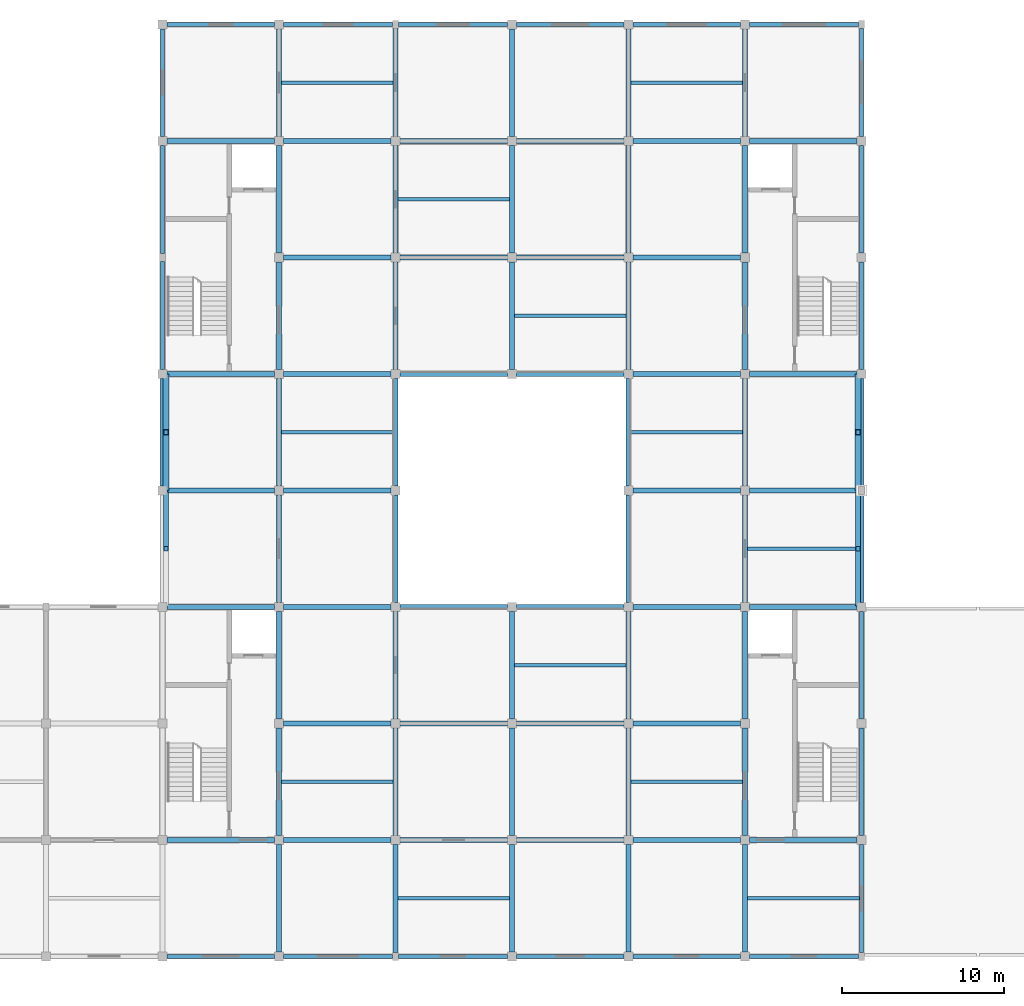
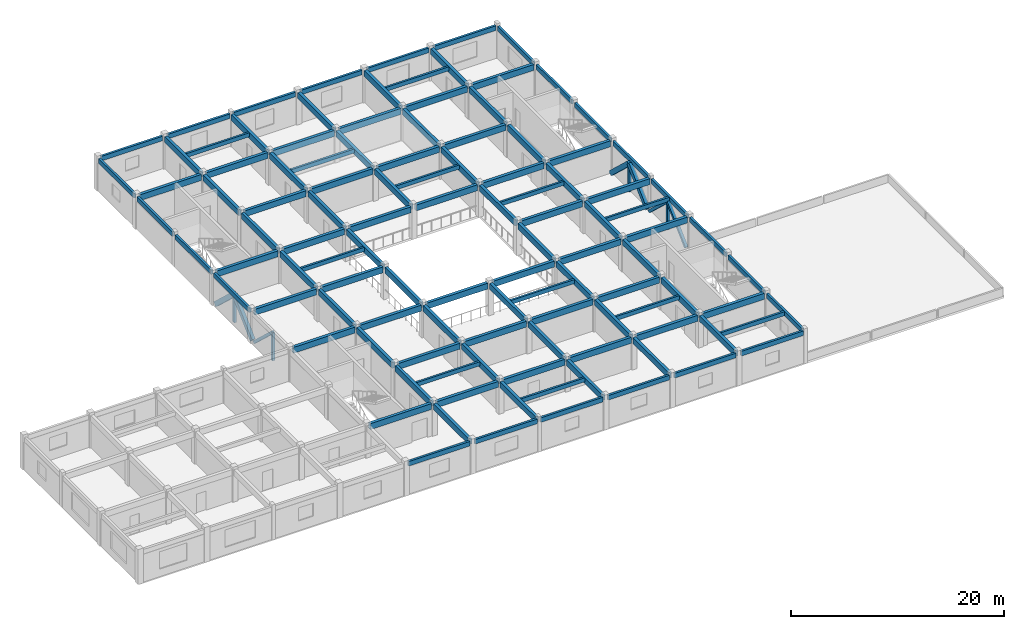
# One storey, part 2 of 8: 110 beams, 11 members.
"""IFC4 building model written with IfcOpenShell, lengths in metres."""

from ifc_helpers import new_model, si_unit, direction, frame, origin, origin_2d, place, context, subcontext, project, spatial, rectangle, extrude, material, material_profile, profile_set, type_object, element, save


model = new_model("IFC4")

# Units and contexts
model_context = context("Model", 3, precision=1e-05, world=origin(), true_north=direction((0.0, 1.0)))
body_context = subcontext(model_context, "Body", "Model", "MODEL_VIEW")
ifc_project = project(units=[si_unit("LENGTHUNIT", "METRE"), si_unit("AREAUNIT", "SQUARE_METRE"), si_unit("VOLUMEUNIT", "CUBIC_METRE"), si_unit("PLANEANGLEUNIT", "RADIAN"), si_unit("MASSUNIT", "GRAM", prefix="KILO")], contexts=[model_context])

# Site, building, storey
site_placement = place(None, origin())
site = spatial("IfcSite", under=ifc_project, at=site_placement, CompositionType="ELEMENT")
building_placement = place(site_placement, origin())
building = spatial("IfcBuilding", under=site, at=building_placement, Name="Cendaluz Park School", CompositionType="ELEMENT")
storey_placement = place(building_placement, frame((0.0, 0.0, 42.800048828125)))
storey = spatial("IfcBuildingStorey", under=building, at=storey_placement, Name="L10", CompositionType="ELEMENT", Elevation=42.800048828125)

# Beams
ifc_material_1 = material(Name="Glulam GL28h", Category="wood")
ifc_material_profile_1 = material_profile(ifc_material_1, rectangle(XDim=0.320068359375, YDim=0.679931640625, at=origin_2d()), Name="GL28h 320x680", Category="wood")
ifc_profile_set_1 = profile_set([ifc_material_profile_1], Name="Glulam GL28h")
beam_type_1 = type_object("IfcBeamType", Name="BM-GL01", PredefinedType="BEAM", material=ifc_profile_set_1)
for number, where, z_axis, x_axis, name in (
    (1, (65.080078125, 14.39990234375, 3.35986328125), (1.0, 0.0, 0.0), (0.0, 1.0, 0.0), "BM-L10-BMGL01-0018"),
    (2, (65.080078125, 28.800048828125, 3.35986328125), (1.0, 0.0, 0.0), (0.0, 1.0, 0.0), "BM-L10-BMGL01-0019"),
    (3, (65.080078125, 36.0, 3.35986328125), (1.0, 0.0, 0.0), (0.0, 1.0, 0.0), "BM-L10-BMGL01-0020"),
    (4, (65.080078125, 43.199951171875, 3.35986328125), (1.0, 0.0, 0.0), (0.0, 1.0, 0.0), "BM-L10-BMGL01-0021"),
    (5, (65.080078125, 57.60009765625, 3.35986328125), (1.0, 0.0, 0.0), (0.0, 1.0, 0.0), "BM-L10-BMGL01-0022"),
    (6, (72.280029296875, 14.39990234375, 3.35986328125), (1.0, 0.0, 0.0), (0.0, 1.0, 0.0), "BM-L10-BMGL01-0025"),
    (7, (72.280029296875, 21.60009765625, 3.35986328125), (1.0, 0.0, 0.0), (0.0, 1.0, 0.0), "BM-L10-BMGL01-0026"),
    (8, (72.280029296875, 28.800048828125, 3.35986328125), (1.0, 0.0, 0.0), (0.0, 1.0, 0.0), "BM-L10-BMGL01-0027"),
    (9, (72.280029296875, 36.0, 3.35986328125), (1.0, 0.0, 0.0), (0.0, 1.0, 0.0), "BM-L10-BMGL01-0028"),
    (10, (72.280029296875, 43.199951171875, 3.35986328125), (1.0, 0.0, 0.0), (0.0, 1.0, 0.0), "BM-L10-BMGL01-0029"),
    (11, (72.280029296875, 50.39990234375, 3.35986328125), (1.0, 0.0, 0.0), (0.0, 1.0, 0.0), "BM-L10-BMGL01-0030"),
    (12, (72.280029296875, 57.60009765625, 3.35986328125), (1.0, 0.0, 0.0), (0.0, 1.0, 0.0), "BM-L10-BMGL01-0031"),
):
    element("IfcBeam", number, at=place(storey_placement, frame(where, z_axis=z_axis, x_axis=x_axis)), inside=storey, type_object=beam_type_1, Name=name, PredefinedType="BEAM", context=body_context, shape_type="SweptSolid", body=[
        extrude(rectangle(XDim=0.320068359375, YDim=0.679931640625, at=origin_2d()), origin(), (0.0, 0.0, 1.0), 6.639892578125),
    ])
for number, where, z_axis, x_axis, name in (
    (13, (79.47998046875, 14.39990234375, 3.35986328125), (1.0, 0.0, 0.0), (0.0, 1.0, 0.0), "BM-L10-BMGL01-0034"),
    (14, (79.47998046875, 21.60009765625, 3.35986328125), (1.0, 0.0, 0.0), (0.0, 1.0, 0.0), "BM-L10-BMGL01-0035"),
    (15, (79.47998046875, 28.800048828125, 3.35986328125), (1.0, 0.0, 0.0), (0.0, 1.0, 0.0), "BM-L10-BMGL01-0036"),
    (16, (79.47998046875, 43.199951171875, 3.35986328125), (1.0, 0.0, 0.0), (0.0, 1.0, 0.0), "BM-L10-BMGL01-0037"),
    (17, (79.47998046875, 50.39990234375, 3.35986328125), (1.0, 0.0, 0.0), (0.0, 1.0, 0.0), "BM-L10-BMGL01-0038"),
    (18, (79.47998046875, 57.60009765625, 3.35986328125), (1.0, 0.0, 0.0), (0.0, 1.0, 0.0), "BM-L10-BMGL01-0039"),
    (19, (86.679931640625, 14.39990234375, 3.35986328125), (1.0, 0.0, 0.0), (0.0, 1.0, 0.0), "BM-L10-BMGL01-0042"),
    (20, (86.679931640625, 21.60009765625, 3.35986328125), (1.0, 0.0, 0.0), (0.0, 1.0, 0.0), "BM-L10-BMGL01-0043"),
    (21, (86.679931640625, 28.800048828125, 3.35986328125), (1.0, 0.0, 0.0), (0.0, 1.0, 0.0), "BM-L10-BMGL01-0044"),
    (22, (86.679931640625, 43.199951171875, 3.35986328125), (1.0, 0.0, 0.0), (0.0, 1.0, 0.0), "BM-L10-BMGL01-0045"),
    (23, (86.679931640625, 50.39990234375, 3.35986328125), (1.0, 0.0, 0.0), (0.0, 1.0, 0.0), "BM-L10-BMGL01-0046"),
    (24, (86.679931640625, 57.60009765625, 3.35986328125), (1.0, 0.0, 0.0), (0.0, 1.0, 0.0), "BM-L10-BMGL01-0047"),
    (25, (93.8798828125, 14.39990234375, 3.35986328125), (1.0, 0.0, 0.0), (0.0, 1.0, 0.0), "BM-L10-BMGL01-0050"),
    (26, (93.8798828125, 21.60009765625, 3.35986328125), (1.0, 0.0, 0.0), (0.0, 1.0, 0.0), "BM-L10-BMGL01-0051"),
    (27, (93.8798828125, 28.800048828125, 3.35986328125), (1.0, 0.0, 0.0), (0.0, 1.0, 0.0), "BM-L10-BMGL01-0052"),
    (28, (93.8798828125, 36.0, 3.35986328125), (1.0, 0.0, 0.0), (0.0, 1.0, 0.0), "BM-L10-BMGL01-0053"),
    (29, (93.8798828125, 43.199951171875, 3.35986328125), (1.0, 0.0, 0.0), (0.0, 1.0, 0.0), "BM-L10-BMGL01-0054"),
    (30, (93.8798828125, 50.39990234375, 3.35986328125), (1.0, 0.0, 0.0), (0.0, 1.0, 0.0), "BM-L10-BMGL01-0055"),
    (31, (93.8798828125, 57.60009765625, 3.35986328125), (1.0, 0.0, 0.0), (0.0, 1.0, 0.0), "BM-L10-BMGL01-0056"),
):
    element("IfcBeam", number, at=place(storey_placement, frame(where, z_axis=z_axis, x_axis=x_axis)), inside=storey, type_object=beam_type_1, Name=name, PredefinedType="BEAM", context=body_context, shape_type="SweptSolid", body=[
        extrude(rectangle(XDim=0.320068359375, YDim=0.679931640625, at=origin_2d()), origin(), (0.0, 0.0, 1.0), 6.64013671875),
    ])
for number, where, z_axis, x_axis, name in (
    (32, (101.080078125, 14.39990234375, 3.35986328125), (1.0, 0.0, 0.0), (0.0, 1.0, 0.0), "BM-L10-BMGL01-0059"),
    (33, (101.080078125, 28.800048828125, 3.35986328125), (1.0, 0.0, 0.0), (0.0, 1.0, 0.0), "BM-L10-BMGL01-0060"),
):
    element("IfcBeam", number, at=place(storey_placement, frame(where, z_axis=z_axis, x_axis=x_axis)), inside=storey, type_object=beam_type_1, Name=name, PredefinedType="BEAM", context=body_context, shape_type="SweptSolid", body=[
        extrude(rectangle(XDim=0.320068359375, YDim=0.679931640625, at=origin_2d()), origin(), (0.0, 0.0, 1.0), 6.639892578125),
    ])
beam_1_placement = place(storey_placement, frame((101.080078125, 36.0, 3.35986328125), z_axis=(1.0, 0.0, 0.0), x_axis=(0.0, 1.0, 0.0)))
element("IfcBeam", 34, at=beam_1_placement, inside=storey, type_object=beam_type_1, Name="BM-L10-BMGL01-0061", PredefinedType="BEAM", context=body_context, shape_type="SweptSolid", body=[
    extrude(rectangle(XDim=0.320068359375, YDim=0.679931640625, at=origin_2d()), origin(), (0.0, 0.0, 1.0), 6.739990234375),
])
for number, where, z_axis, x_axis, name in (
    (35, (101.080078125, 43.199951171875, 3.35986328125), (1.0, 0.0, 0.0), (0.0, 1.0, 0.0), "BM-L10-BMGL01-0062"),
    (36, (101.080078125, 57.60009765625, 3.35986328125), (1.0, 0.0, 0.0), (0.0, 1.0, 0.0), "BM-L10-BMGL01-0063"),
):
    element("IfcBeam", number, at=place(storey_placement, frame(where, z_axis=z_axis, x_axis=x_axis)), inside=storey, type_object=beam_type_1, Name=name, PredefinedType="BEAM", context=body_context, shape_type="SweptSolid", body=[
        extrude(rectangle(XDim=0.320068359375, YDim=0.679931640625, at=origin_2d()), origin(), (0.0, 0.0, 1.0), 6.639892578125),
    ])
for number, where, z_axis, x_axis, name in (
    (37, (72.0, 7.47998046875, 3.35986328125), (0.0, 1.0, 0.0), (-1.0, 0.0, 0.0), "BM-L10-BMGL01-0085"),
    (38, (72.0, 14.679931640625, 3.35986328125), (0.0, 1.0, 0.0), (-1.0, 0.0, 0.0), "BM-L10-BMGL01-0086"),
    (39, (72.0, 21.8798828125, 3.35986328125), (0.0, 1.0, 0.0), (-1.0, 0.0, 0.0), "BM-L10-BMGL01-0087"),
):
    element("IfcBeam", number, at=place(storey_placement, frame(where, z_axis=z_axis, x_axis=x_axis)), inside=storey, type_object=beam_type_1, Name=name, PredefinedType="BEAM", context=body_context, shape_type="SweptSolid", body=[
        extrude(rectangle(XDim=0.320068359375, YDim=0.679931640625, at=origin_2d()), origin(), (0.0, 0.0, 1.0), 6.64013671875),
    ])
for number, where, z_axis, x_axis, name in (
    (40, (72.0, 29.080078125, 3.35986328125), (0.0, 1.0, 0.0), (-1.0, 0.0, 0.0), "BM-L10-BMGL01-0088"),
    (41, (72.0, 36.280029296875, 3.35986328125), (0.0, 1.0, 0.0), (-1.0, 0.0, 0.0), "BM-L10-BMGL01-0089"),
):
    element("IfcBeam", number, at=place(storey_placement, frame(where, z_axis=z_axis, x_axis=x_axis)), inside=storey, type_object=beam_type_1, Name=name, PredefinedType="BEAM", context=body_context, shape_type="SweptSolid", body=[
        extrude(rectangle(XDim=0.320068359375, YDim=0.679931640625, at=origin_2d()), origin(), (0.0, 0.0, 1.0), 6.639892578125),
    ])
for number, where, z_axis, x_axis, name in (
    (42, (72.0, 43.47998046875, 3.35986328125), (0.0, 1.0, 0.0), (-1.0, 0.0, 0.0), "BM-L10-BMGL01-0090"),
    (43, (72.0, 50.679931640625, 3.35986328125), (0.0, 1.0, 0.0), (-1.0, 0.0, 0.0), "BM-L10-BMGL01-0091"),
    (44, (72.0, 57.8798828125, 3.35986328125), (0.0, 1.0, 0.0), (-1.0, 0.0, 0.0), "BM-L10-BMGL01-0092"),
):
    element("IfcBeam", number, at=place(storey_placement, frame(where, z_axis=z_axis, x_axis=x_axis)), inside=storey, type_object=beam_type_1, Name=name, PredefinedType="BEAM", context=body_context, shape_type="SweptSolid", body=[
        extrude(rectangle(XDim=0.320068359375, YDim=0.679931640625, at=origin_2d()), origin(), (0.0, 0.0, 1.0), 6.64013671875),
    ])
beam_2_placement = place(storey_placement, frame((79.199951171875, 7.4599609375, 3.35986328125), z_axis=(0.0, 1.0, 0.0), x_axis=(-1.0, 0.0, 0.0)))
element("IfcBeam", 45, at=beam_2_placement, inside=storey, type_object=beam_type_1, Name="BM-L10-BMGL01-0093", PredefinedType="BEAM", context=body_context, shape_type="SweptSolid", body=[
    extrude(rectangle(XDim=0.320068359375, YDim=0.679931640625, at=origin_2d()), origin(), (0.0, 0.0, 1.0), 6.66015625),
])
for number, where, z_axis, x_axis, name in (
    (46, (79.199951171875, 14.679931640625, 3.35986328125), (0.0, 1.0, 0.0), (-1.0, 0.0, 0.0), "BM-L10-BMGL01-0094"),
    (47, (79.199951171875, 21.8798828125, 3.35986328125), (0.0, 1.0, 0.0), (-1.0, 0.0, 0.0), "BM-L10-BMGL01-0095"),
):
    element("IfcBeam", number, at=place(storey_placement, frame(where, z_axis=z_axis, x_axis=x_axis)), inside=storey, type_object=beam_type_1, Name=name, PredefinedType="BEAM", context=body_context, shape_type="SweptSolid", body=[
        extrude(rectangle(XDim=0.320068359375, YDim=0.679931640625, at=origin_2d()), origin(), (0.0, 0.0, 1.0), 6.64013671875),
    ])
for number, where, z_axis, x_axis, name in (
    (48, (79.199951171875, 29.080078125, 3.35986328125), (0.0, 1.0, 0.0), (-1.0, 0.0, 0.0), "BM-L10-BMGL01-0096"),
    (49, (79.199951171875, 36.280029296875, 3.35986328125), (0.0, 1.0, 0.0), (-1.0, 0.0, 0.0), "BM-L10-BMGL01-0097"),
):
    element("IfcBeam", number, at=place(storey_placement, frame(where, z_axis=z_axis, x_axis=x_axis)), inside=storey, type_object=beam_type_1, Name=name, PredefinedType="BEAM", context=body_context, shape_type="SweptSolid", body=[
        extrude(rectangle(XDim=0.320068359375, YDim=0.679931640625, at=origin_2d()), origin(), (0.0, 0.0, 1.0), 6.639892578125),
    ])
for number, where, z_axis, x_axis, name in (
    (50, (79.199951171875, 43.47998046875, 3.35986328125), (0.0, 1.0, 0.0), (-1.0, 0.0, 0.0), "BM-L10-BMGL01-0098"),
    (51, (79.199951171875, 50.679931640625, 3.35986328125), (0.0, 1.0, 0.0), (-1.0, 0.0, 0.0), "BM-L10-BMGL01-0099"),
):
    element("IfcBeam", number, at=place(storey_placement, frame(where, z_axis=z_axis, x_axis=x_axis)), inside=storey, type_object=beam_type_1, Name=name, PredefinedType="BEAM", context=body_context, shape_type="SweptSolid", body=[
        extrude(rectangle(XDim=0.320068359375, YDim=0.679931640625, at=origin_2d()), origin(), (0.0, 0.0, 1.0), 6.64013671875),
    ])
beam_3_placement = place(storey_placement, frame((79.199951171875, 57.8798828125, 3.35986328125), z_axis=(0.0, 1.0, 0.0), x_axis=(-1.0, 0.0, 0.0)))
element("IfcBeam", 52, at=beam_3_placement, inside=storey, type_object=beam_type_1, Name="BM-L10-BMGL01-0100", PredefinedType="BEAM", context=body_context, shape_type="SweptSolid", body=[
    extrude(rectangle(XDim=0.320068359375, YDim=0.679931640625, at=origin_2d()), origin(), (0.0, 0.0, 1.0), 6.66015625),
])
for number, where, z_axis, x_axis, name in (
    (53, (86.39990234375, 7.47998046875, 3.35986328125), (0.0, 1.0, 0.0), (-1.0, 0.0, 0.0), "BM-L10-BMGL01-0101"),
    (54, (86.39990234375, 14.679931640625, 3.35986328125), (0.0, 1.0, 0.0), (-1.0, 0.0, 0.0), "BM-L10-BMGL01-0102"),
    (55, (86.39990234375, 21.8798828125, 3.35986328125), (0.0, 1.0, 0.0), (-1.0, 0.0, 0.0), "BM-L10-BMGL01-0103"),
    (56, (86.39990234375, 43.47998046875, 3.35986328125), (0.0, 1.0, 0.0), (-1.0, 0.0, 0.0), "BM-L10-BMGL01-0104"),
    (57, (86.39990234375, 50.679931640625, 3.35986328125), (0.0, 1.0, 0.0), (-1.0, 0.0, 0.0), "BM-L10-BMGL01-0105"),
    (58, (86.39990234375, 57.8798828125, 3.35986328125), (0.0, 1.0, 0.0), (-1.0, 0.0, 0.0), "BM-L10-BMGL01-0106"),
    (59, (93.60009765625, 7.47998046875, 3.35986328125), (0.0, 1.0, 0.0), (-1.0, 0.0, 0.0), "BM-L10-BMGL01-0107"),
    (60, (93.60009765625, 14.679931640625, 3.35986328125), (0.0, 1.0, 0.0), (-1.0, 0.0, 0.0), "BM-L10-BMGL01-0108"),
    (61, (93.60009765625, 21.8798828125, 3.35986328125), (0.0, 1.0, 0.0), (-1.0, 0.0, 0.0), "BM-L10-BMGL01-0109"),
):
    element("IfcBeam", number, at=place(storey_placement, frame(where, z_axis=z_axis, x_axis=x_axis)), inside=storey, type_object=beam_type_1, Name=name, PredefinedType="BEAM", context=body_context, shape_type="SweptSolid", body=[
        extrude(rectangle(XDim=0.320068359375, YDim=0.679931640625, at=origin_2d()), origin(), (0.0, 0.0, 1.0), 6.64013671875),
    ])
for number, where, z_axis, x_axis, name in (
    (62, (93.60009765625, 29.080078125, 3.35986328125), (0.0, 1.0, 0.0), (-1.0, 0.0, 0.0), "BM-L10-BMGL01-0110"),
    (63, (93.60009765625, 36.280029296875, 3.35986328125), (0.0, 1.0, 0.0), (-1.0, 0.0, 0.0), "BM-L10-BMGL01-0111"),
):
    element("IfcBeam", number, at=place(storey_placement, frame(where, z_axis=z_axis, x_axis=x_axis)), inside=storey, type_object=beam_type_1, Name=name, PredefinedType="BEAM", context=body_context, shape_type="SweptSolid", body=[
        extrude(rectangle(XDim=0.320068359375, YDim=0.679931640625, at=origin_2d()), origin(), (0.0, 0.0, 1.0), 6.639892578125),
    ])
for number, where, z_axis, x_axis, name in (
    (64, (93.60009765625, 43.47998046875, 3.35986328125), (0.0, 1.0, 0.0), (-1.0, 0.0, 0.0), "BM-L10-BMGL01-0112"),
    (65, (93.60009765625, 50.679931640625, 3.35986328125), (0.0, 1.0, 0.0), (-1.0, 0.0, 0.0), "BM-L10-BMGL01-0113"),
    (66, (93.60009765625, 57.8798828125, 3.35986328125), (0.0, 1.0, 0.0), (-1.0, 0.0, 0.0), "BM-L10-BMGL01-0114"),
    (67, (100.800048828125, 7.47998046875, 3.35986328125), (0.0, 1.0, 0.0), (-1.0, 0.0, 0.0), "BM-L10-BMGL01-0115"),
    (68, (100.800048828125, 14.679931640625, 3.35986328125), (0.0, 1.0, 0.0), (-1.0, 0.0, 0.0), "BM-L10-BMGL01-0116"),
    (69, (100.800048828125, 21.8798828125, 3.35986328125), (0.0, 1.0, 0.0), (-1.0, 0.0, 0.0), "BM-L10-BMGL01-0117"),
):
    element("IfcBeam", number, at=place(storey_placement, frame(where, z_axis=z_axis, x_axis=x_axis)), inside=storey, type_object=beam_type_1, Name=name, PredefinedType="BEAM", context=body_context, shape_type="SweptSolid", body=[
        extrude(rectangle(XDim=0.320068359375, YDim=0.679931640625, at=origin_2d()), origin(), (0.0, 0.0, 1.0), 6.64013671875),
    ])
for number, where, z_axis, x_axis, name in (
    (70, (100.800048828125, 29.080078125, 3.35986328125), (0.0, 1.0, 0.0), (-1.0, 0.0, 0.0), "BM-L10-BMGL01-0118"),
    (71, (100.800048828125, 36.280029296875, 3.35986328125), (0.0, 1.0, 0.0), (-1.0, 0.0, 0.0), "BM-L10-BMGL01-0119"),
):
    element("IfcBeam", number, at=place(storey_placement, frame(where, z_axis=z_axis, x_axis=x_axis)), inside=storey, type_object=beam_type_1, Name=name, PredefinedType="BEAM", context=body_context, shape_type="SweptSolid", body=[
        extrude(rectangle(XDim=0.320068359375, YDim=0.679931640625, at=origin_2d()), origin(), (0.0, 0.0, 1.0), 6.639892578125),
    ])
for number, where, z_axis, x_axis, name in (
    (72, (100.800048828125, 43.47998046875, 3.35986328125), (0.0, 1.0, 0.0), (-1.0, 0.0, 0.0), "BM-L10-BMGL01-0120"),
    (73, (100.800048828125, 50.679931640625, 3.35986328125), (0.0, 1.0, 0.0), (-1.0, 0.0, 0.0), "BM-L10-BMGL01-0121"),
    (74, (100.800048828125, 57.8798828125, 3.35986328125), (0.0, 1.0, 0.0), (-1.0, 0.0, 0.0), "BM-L10-BMGL01-0122"),
):
    element("IfcBeam", number, at=place(storey_placement, frame(where, z_axis=z_axis, x_axis=x_axis)), inside=storey, type_object=beam_type_1, Name=name, PredefinedType="BEAM", context=body_context, shape_type="SweptSolid", body=[
        extrude(rectangle(XDim=0.320068359375, YDim=0.679931640625, at=origin_2d()), origin(), (0.0, 0.0, 1.0), 6.64013671875),
    ])
ifc_material_profile_2 = material_profile(ifc_material_1, rectangle(XDim=0.239990234375, YDim=0.52001953125, at=origin_2d()), Name="GL28h 240x520", Category="wood")
ifc_profile_set_2 = profile_set([ifc_material_profile_2], Name="Glulam GL28h")
beam_type_2 = type_object("IfcBeamType", Name="BM-GL03", PredefinedType="SPANDREL", material=ifc_profile_set_2)
for number, where, z_axis, x_axis, name in (
    (75, (65.080078125, 7.199951171875, 3.43994140625), (1.0, 0.0, 0.0), (0.0, 1.0, 0.0), "BM-L10-BMGL03-0017"),
    (76, (65.080078125, 64.800048828125, 3.43994140625), (1.0, 0.0, 0.0), (0.0, 1.0, 0.0), "BM-L10-BMGL03-0023"),
):
    element("IfcBeam", number, at=place(storey_placement, frame(where, z_axis=z_axis, x_axis=x_axis)), inside=storey, type_object=beam_type_2, Name=name, PredefinedType="SPANDREL", context=body_context, shape_type="SweptSolid", body=[
        extrude(rectangle(XDim=0.239990234375, YDim=0.52001953125, at=origin_2d()), origin(), (0.0, 0.0, 1.0), 6.639892578125),
    ])
for number, where, z_axis, x_axis, name in (
    (77, (72.280029296875, 7.199951171875, 3.43994140625), (1.0, 0.0, 0.0), (0.0, 1.0, 0.0), "BM-L10-BMGL03-0024"),
    (78, (72.280029296875, 64.800048828125, 3.43994140625), (1.0, 0.0, 0.0), (0.0, 1.0, 0.0), "BM-L10-BMGL03-0032"),
):
    element("IfcBeam", number, at=place(storey_placement, frame(where, z_axis=z_axis, x_axis=x_axis)), inside=storey, type_object=beam_type_2, Name=name, PredefinedType="SPANDREL", context=body_context, shape_type="SweptSolid", body=[
        extrude(rectangle(XDim=0.239990234375, YDim=0.52001953125, at=origin_2d()), origin(), (0.0, 0.0, 1.0), 6.739990234375),
    ])
for number, where, z_axis, x_axis, name in (
    (79, (79.3798828125, 7.199951171875, 3.43994140625), (1.0, 0.0, 0.0), (0.0, 1.0, 0.0), "BM-L10-BMGL03-0033"),
    (80, (79.3798828125, 64.800048828125, 3.43994140625), (1.0, 0.0, 0.0), (0.0, 1.0, 0.0), "BM-L10-BMGL03-0040"),
):
    element("IfcBeam", number, at=place(storey_placement, frame(where, z_axis=z_axis, x_axis=x_axis)), inside=storey, type_object=beam_type_2, Name=name, PredefinedType="SPANDREL", context=body_context, shape_type="SweptSolid", body=[
        extrude(rectangle(XDim=0.239990234375, YDim=0.52001953125, at=origin_2d()), origin(), (0.0, 0.0, 1.0), 6.740234375),
    ])
for number, where, z_axis, x_axis, name in (
    (81, (86.679931640625, 7.199951171875, 3.43994140625), (1.0, 0.0, 0.0), (0.0, 1.0, 0.0), "BM-L10-BMGL03-0041"),
    (82, (86.679931640625, 64.800048828125, 3.43994140625), (1.0, 0.0, 0.0), (0.0, 1.0, 0.0), "BM-L10-BMGL03-0048"),
    (83, (93.8798828125, 7.199951171875, 3.43994140625), (1.0, 0.0, 0.0), (0.0, 1.0, 0.0), "BM-L10-BMGL03-0049"),
    (84, (93.8798828125, 64.800048828125, 3.43994140625), (1.0, 0.0, 0.0), (0.0, 1.0, 0.0), "BM-L10-BMGL03-0057"),
):
    element("IfcBeam", number, at=place(storey_placement, frame(where, z_axis=z_axis, x_axis=x_axis)), inside=storey, type_object=beam_type_2, Name=name, PredefinedType="SPANDREL", context=body_context, shape_type="SweptSolid", body=[
        extrude(rectangle(XDim=0.239990234375, YDim=0.52001953125, at=origin_2d()), origin(), (0.0, 0.0, 1.0), 6.64013671875),
    ])
for number, where, z_axis, x_axis, name in (
    (85, (101.080078125, 7.199951171875, 3.43994140625), (1.0, 0.0, 0.0), (0.0, 1.0, 0.0), "BM-L10-BMGL03-0058"),
    (86, (101.080078125, 64.800048828125, 3.43994140625), (1.0, 0.0, 0.0), (0.0, 1.0, 0.0), "BM-L10-BMGL03-0064"),
):
    element("IfcBeam", number, at=place(storey_placement, frame(where, z_axis=z_axis, x_axis=x_axis)), inside=storey, type_object=beam_type_2, Name=name, PredefinedType="SPANDREL", context=body_context, shape_type="SweptSolid", body=[
        extrude(rectangle(XDim=0.239990234375, YDim=0.52001953125, at=origin_2d()), origin(), (0.0, 0.0, 1.0), 6.739990234375),
    ])
beam_4_placement = place(storey_placement, frame((64.800048828125, 36.280029296875, 3.43994140625), z_axis=(0.0, 1.0, 0.0), x_axis=(-1.0, 0.0, 0.0)))
element("IfcBeam", 87, at=beam_4_placement, inside=storey, type_object=beam_type_2, Name="BM-L10-BMGL03-0081", PredefinedType="SPANDREL", context=body_context, shape_type="SweptSolid", body=[
    extrude(rectangle(XDim=0.239990234375, YDim=0.52001953125, at=origin_2d()), origin(), (0.0, 0.0, 1.0), 6.639892578125),
])
beam_5_placement = place(storey_placement, frame((64.800048828125, 43.47998046875, 3.43994140625), z_axis=(0.0, 1.0, 0.0), x_axis=(-1.0, 0.0, 0.0)))
element("IfcBeam", 88, at=beam_5_placement, inside=storey, type_object=beam_type_2, Name="BM-L10-BMGL03-0082", PredefinedType="SPANDREL", context=body_context, shape_type="SweptSolid", body=[
    extrude(rectangle(XDim=0.239990234375, YDim=0.52001953125, at=origin_2d()), origin(), (0.0, 0.0, 1.0), 6.659912109375),
])
beam_6_placement = place(storey_placement, frame((64.800048828125, 50.659912109375, 3.43994140625), z_axis=(0.0, 1.0, 0.0), x_axis=(-1.0, 0.0, 0.0)))
element("IfcBeam", 89, at=beam_6_placement, inside=storey, type_object=beam_type_2, Name="BM-L10-BMGL03-0083", PredefinedType="SPANDREL", context=body_context, shape_type="SweptSolid", body=[
    extrude(rectangle(XDim=0.239990234375, YDim=0.52001953125, at=origin_2d()), origin(), (0.0, 0.0, 1.0), 6.66015625),
])
beam_7_placement = place(storey_placement, frame((64.800048828125, 57.8798828125, 3.43994140625), z_axis=(0.0, 1.0, 0.0), x_axis=(-1.0, 0.0, 0.0)))
element("IfcBeam", 90, at=beam_7_placement, inside=storey, type_object=beam_type_2, Name="BM-L10-BMGL03-0084", PredefinedType="SPANDREL", context=body_context, shape_type="SweptSolid", body=[
    extrude(rectangle(XDim=0.239990234375, YDim=0.52001953125, at=origin_2d()), origin(), (0.0, 0.0, 1.0), 6.64013671875),
])
beam_8_placement = place(storey_placement, frame((108.0, 7.4599609375, 3.43994140625), z_axis=(0.0, 1.0, 0.0), x_axis=(-1.0, 0.0, 0.0)))
element("IfcBeam", 91, at=beam_8_placement, inside=storey, type_object=beam_type_2, Name="BM-L10-BMGL03-0123", PredefinedType="SPANDREL", context=body_context, shape_type="SweptSolid", body=[
    extrude(rectangle(XDim=0.239990234375, YDim=0.52001953125, at=origin_2d()), origin(), (0.0, 0.0, 1.0), 6.66015625),
])
for number, where, z_axis, x_axis, name in (
    (92, (108.0, 14.679931640625, 3.43994140625), (0.0, 1.0, 0.0), (-1.0, 0.0, 0.0), "BM-L10-BMGL03-0124"),
    (93, (108.0, 21.8798828125, 3.43994140625), (0.0, 1.0, 0.0), (-1.0, 0.0, 0.0), "BM-L10-BMGL03-0125"),
):
    element("IfcBeam", number, at=place(storey_placement, frame(where, z_axis=z_axis, x_axis=x_axis)), inside=storey, type_object=beam_type_2, Name=name, PredefinedType="SPANDREL", context=body_context, shape_type="SweptSolid", body=[
        extrude(rectangle(XDim=0.239990234375, YDim=0.52001953125, at=origin_2d()), origin(), (0.0, 0.0, 1.0), 6.64013671875),
    ])
for number, where, z_axis, x_axis, name in (
    (94, (108.0, 29.080078125, 3.43994140625), (0.0, 1.0, 0.0), (-1.0, 0.0, 0.0), "BM-L10-BMGL03-0126"),
    (95, (108.0, 36.260009765625, 3.43994140625), (0.0, 1.0, 0.0), (-1.0, 0.0, 0.0), "BM-L10-BMGL03-0127"),
):
    element("IfcBeam", number, at=place(storey_placement, frame(where, z_axis=z_axis, x_axis=x_axis)), inside=storey, type_object=beam_type_2, Name=name, PredefinedType="SPANDREL", context=body_context, shape_type="SweptSolid", body=[
        extrude(rectangle(XDim=0.239990234375, YDim=0.52001953125, at=origin_2d()), origin(), (0.0, 0.0, 1.0), 6.659912109375),
    ])
for number, where, z_axis, x_axis, name in (
    (96, (108.0, 43.47998046875, 3.43994140625), (0.0, 1.0, 0.0), (-1.0, 0.0, 0.0), "BM-L10-BMGL03-0128"),
    (97, (108.0, 50.679931640625, 3.43994140625), (0.0, 1.0, 0.0), (-1.0, 0.0, 0.0), "BM-L10-BMGL03-0129"),
):
    element("IfcBeam", number, at=place(storey_placement, frame(where, z_axis=z_axis, x_axis=x_axis)), inside=storey, type_object=beam_type_2, Name=name, PredefinedType="SPANDREL", context=body_context, shape_type="SweptSolid", body=[
        extrude(rectangle(XDim=0.239990234375, YDim=0.52001953125, at=origin_2d()), origin(), (0.0, 0.0, 1.0), 6.64013671875),
    ])
beam_9_placement = place(storey_placement, frame((108.0, 57.8798828125, 3.43994140625), z_axis=(0.0, 1.0, 0.0), x_axis=(-1.0, 0.0, 0.0)))
element("IfcBeam", 98, at=beam_9_placement, inside=storey, type_object=beam_type_2, Name="BM-L10-BMGL03-0130", PredefinedType="SPANDREL", context=body_context, shape_type="SweptSolid", body=[
    extrude(rectangle(XDim=0.239990234375, YDim=0.52001953125, at=origin_2d()), origin(), (0.0, 0.0, 1.0), 6.66015625),
])
ifc_material_profile_3 = material_profile(ifc_material_1, rectangle(XDim=0.219970703125, YDim=0.4599609375, at=origin_2d()), Name="GL28h 220x460", Category="wood")
ifc_profile_set_3 = profile_set([ifc_material_profile_3], Name="Glulam GL28h")
beam_type_3 = type_object("IfcBeamType", Name="JT-GL01", PredefinedType="JOIST", material=ifc_profile_set_3)
for number, where, z_axis, x_axis, name in (
    (99, (72.159912109375, 18.0, 3.469970703125), (1.0, 0.0, 0.0), (0.0, 1.0, 0.0), "BM-L10-JTGL01-0135"),
    (100, (72.159912109375, 39.60009765625, 3.469970703125), (1.0, 0.0, 0.0), (0.0, 1.0, 0.0), "BM-L10-JTGL01-0136"),
    (101, (72.159912109375, 61.199951171875, 3.469970703125), (1.0, 0.0, 0.0), (0.0, 1.0, 0.0), "BM-L10-JTGL01-0137"),
):
    element("IfcBeam", number, at=place(storey_placement, frame(where, z_axis=z_axis, x_axis=x_axis)), inside=storey, type_object=beam_type_3, Name=name, PredefinedType="JOIST", context=body_context, shape_type="SweptSolid", body=[
        extrude(rectangle(XDim=0.219970703125, YDim=0.4599609375, at=origin_2d()), origin(), (0.0, 0.0, 1.0), 6.880126953125),
    ])
for number, where, z_axis, x_axis, name in (
    (102, (79.360107421875, 10.800048828125, 3.469970703125), (1.0, 0.0, 0.0), (0.0, 1.0, 0.0), "BM-L10-JTGL01-0138"),
    (103, (79.360107421875, 54.0, 3.469970703125), (1.0, 0.0, 0.0), (0.0, 1.0, 0.0), "BM-L10-JTGL01-0139"),
    (104, (86.56005859375, 25.199951171875, 3.469970703125), (1.0, 0.0, 0.0), (0.0, 1.0, 0.0), "BM-L10-JTGL01-0140"),
    (105, (86.56005859375, 46.800048828125, 3.469970703125), (1.0, 0.0, 0.0), (0.0, 1.0, 0.0), "BM-L10-JTGL01-0141"),
    (106, (93.760009765625, 18.0, 3.469970703125), (1.0, 0.0, 0.0), (0.0, 1.0, 0.0), "BM-L10-JTGL01-0142"),
    (107, (93.760009765625, 39.60009765625, 3.469970703125), (1.0, 0.0, 0.0), (0.0, 1.0, 0.0), "BM-L10-JTGL01-0143"),
    (108, (93.760009765625, 61.199951171875, 3.469970703125), (1.0, 0.0, 0.0), (0.0, 1.0, 0.0), "BM-L10-JTGL01-0144"),
):
    element("IfcBeam", number, at=place(storey_placement, frame(where, z_axis=z_axis, x_axis=x_axis)), inside=storey, type_object=beam_type_3, Name=name, PredefinedType="JOIST", context=body_context, shape_type="SweptSolid", body=[
        extrude(rectangle(XDim=0.219970703125, YDim=0.4599609375, at=origin_2d()), origin(), (0.0, 0.0, 1.0), 6.8798828125),
    ])
for number, where, z_axis, x_axis, name in (
    (109, (100.9599609375, 10.800048828125, 3.469970703125), (1.0, 0.0, 0.0), (0.0, 1.0, 0.0), "BM-L10-JTGL01-0145"),
    (110, (100.9599609375, 32.39990234375, 3.469970703125), (1.0, 0.0, 0.0), (0.0, 1.0, 0.0), "BM-L10-JTGL01-0146"),
):
    element("IfcBeam", number, at=place(storey_placement, frame(where, z_axis=z_axis, x_axis=x_axis)), inside=storey, type_object=beam_type_3, Name=name, PredefinedType="JOIST", context=body_context, shape_type="SweptSolid", body=[
        extrude(rectangle(XDim=0.219970703125, YDim=0.4599609375, at=origin_2d()), origin(), (0.0, 0.0, 1.0), 6.919921875),
    ])

# Members
ifc_material_2 = material(Name="Glulam GL32h", Category="wood")
ifc_material_profile_4 = material_profile(ifc_material_2, rectangle(XDim=0.300048828125, YDim=0.300048828125, at=origin_2d()), Name="GL32h 300x300", Category="wood")
ifc_profile_set_4 = profile_set([ifc_material_profile_4], Name="Glulam GL32h")
member_type_1 = type_object("IfcMemberType", Name="MBR-03", PredefinedType="BRACE", material=ifc_profile_set_4)
member_1_placement = place(storey_placement, frame((65.02001953125, 35.820068359375, 0.0), z_axis=(0.0, -0.730224435313, 0.683207343397), x_axis=(1.0, 0.0, 0.0)))
element("IfcMember", 111, at=member_1_placement, inside=storey, type_object=member_type_1, Name="MB-L10-MBBR03-0002", PredefinedType="BRACE", context=body_context, shape_type="SweptSolid", body=[
    extrude(rectangle(XDim=0.300048828125, YDim=0.300048828125, at=origin_2d()), origin(), (0.0, 0.0, 1.0), 4.683837890625),
])
member_2_placement = place(storey_placement, frame((107.780029296875, 28.97998046875, 0.0), z_axis=(0.0, 0.730200103242, 0.683233349029), x_axis=(-1.0, 0.0, 0.0)))
element("IfcMember", 112, at=member_2_placement, inside=storey, type_object=member_type_1, Name="MB-L10-MBBR03-0004", PredefinedType="BRACE", context=body_context, shape_type="SweptSolid", body=[
    extrude(rectangle(XDim=0.300048828125, YDim=0.300048828125, at=origin_2d()), origin(), (0.0, 0.0, 1.0), 4.68359375),
])
member_3_placement = place(storey_placement, frame((107.780029296875, 35.820068359375, 0.0), z_axis=(0.0, -0.730224435313, 0.683207343397), x_axis=(1.0, 0.0, 0.0)))
element("IfcMember", 113, at=member_3_placement, inside=storey, type_object=member_type_1, Name="MB-L10-MBBR03-0005", PredefinedType="BRACE", context=body_context, shape_type="SweptSolid", body=[
    extrude(rectangle(XDim=0.300048828125, YDim=0.300048828125, at=origin_2d()), origin(), (0.0, 0.0, 1.0), 4.683837890625),
])
ifc_material_profile_5 = material_profile(ifc_material_2, rectangle(XDim=0.360107421875, YDim=0.52001953125, at=origin_2d()), Name="GL32h 360x520", Category="wood")
ifc_profile_set_5 = profile_set([ifc_material_profile_5], Name="Glulam GL32h")
member_type_2 = type_object("IfcMemberType", Name="MBR-04", PredefinedType="BRACE", material=ifc_profile_set_5)
member_4_placement = place(storey_placement, frame((65.02001953125, 36.179931640625, 0.0), z_axis=(0.0, 0.730224435313, 0.683207343397), x_axis=(-1.0, 0.0, 0.0)))
element("IfcMember", 114, at=member_4_placement, inside=storey, type_object=member_type_2, Name="MB-L10-MBBR04-0007", PredefinedType="BRACE", context=body_context, shape_type="SweptSolid", body=[
    extrude(rectangle(XDim=0.360107421875, YDim=0.52001953125, at=origin_2d()), origin(), (0.0, 0.0, 1.0), 4.683837890625),
])
member_5_placement = place(storey_placement, frame((65.02001953125, 43.02001953125, 0.0), z_axis=(0.0, -0.730200103242, 0.683233349029), x_axis=(1.0, 0.0, 0.0)))
element("IfcMember", 115, at=member_5_placement, inside=storey, type_object=member_type_2, Name="MB-L10-MBBR04-0008", PredefinedType="BRACE", context=body_context, shape_type="SweptSolid", body=[
    extrude(rectangle(XDim=0.360107421875, YDim=0.52001953125, at=origin_2d()), origin(), (0.0, 0.0, 1.0), 4.68359375),
])
member_6_placement = place(storey_placement, frame((107.780029296875, 36.179931640625, 0.0), z_axis=(0.0, 0.730224435313, 0.683207343397), x_axis=(-1.0, 0.0, 0.0)))
element("IfcMember", 116, at=member_6_placement, inside=storey, type_object=member_type_2, Name="MB-L10-MBBR04-0010", PredefinedType="BRACE", context=body_context, shape_type="SweptSolid", body=[
    extrude(rectangle(XDim=0.360107421875, YDim=0.52001953125, at=origin_2d()), origin(), (0.0, 0.0, 1.0), 4.683837890625),
])
member_7_placement = place(storey_placement, frame((107.780029296875, 43.02001953125, 0.0), z_axis=(0.0, -0.730200103242, 0.683233349029), x_axis=(1.0, 0.0, 0.0)))
element("IfcMember", 117, at=member_7_placement, inside=storey, type_object=member_type_2, Name="MB-L10-MBBR04-0011", PredefinedType="BRACE", context=body_context, shape_type="SweptSolid", body=[
    extrude(rectangle(XDim=0.360107421875, YDim=0.52001953125, at=origin_2d()), origin(), (0.0, 0.0, 1.0), 4.68359375),
])
ifc_material_profile_6 = material_profile(ifc_material_2, rectangle(XDim=0.260009765625, YDim=0.260009765625, at=origin_2d()), Name="GL32h 260x260", Category="wood")
ifc_profile_set_6 = profile_set([ifc_material_profile_6], Name="Glulam GL32h")
member_type_3 = type_object("IfcMemberType", Name="MST-03", PredefinedType="STRUT", material=ifc_profile_set_6)
for number, where, z_axis, x_axis, name in (
    (118, (65.02001953125, 32.39990234375, 0.0), (0.0, 0.0, 1.0), (1.0, 0.0, 0.0), "MB-L10-MBST03-0003"),
    (119, (107.780029296875, 32.39990234375, 0.0), (0.0, 0.0, 1.0), (1.0, 0.0, 0.0), "MB-L10-MBST03-0006"),
    (120, (65.02001953125, 39.60009765625, 0.0), (0.0, 0.0, 1.0), (1.0, 0.0, 0.0), "MB-L10-MBST03-0009"),
    (121, (107.780029296875, 39.60009765625, 0.0), (0.0, 0.0, 1.0), (1.0, 0.0, 0.0), "MB-L10-MBST03-0012"),
):
    element("IfcMember", number, at=place(storey_placement, frame(where, z_axis=z_axis, x_axis=x_axis)), inside=storey, type_object=member_type_3, Name=name, PredefinedType="STRUT", context=body_context, shape_type="SweptSolid", body=[
        extrude(rectangle(XDim=0.260009765625, YDim=0.260009765625, at=origin_2d()), origin(), (0.0, 0.0, 1.0), 3.199951171875),
    ])

save(model, "model.ifc")
